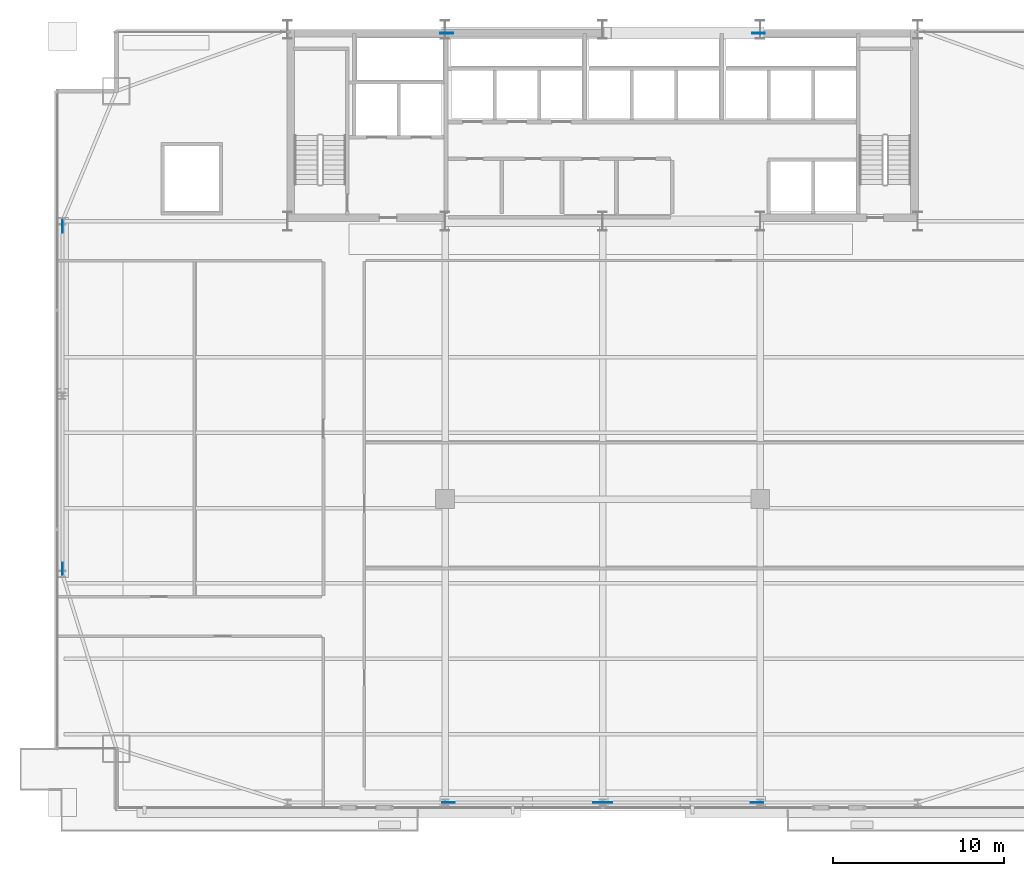
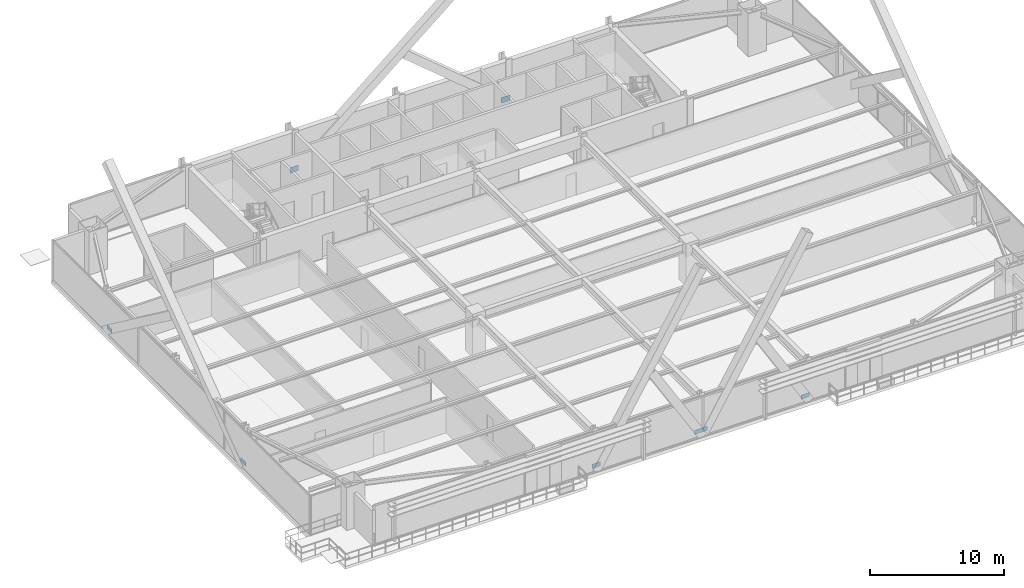
# One storey, part 27 of 34: 8 plates.
"""IFC4 building model written with IfcOpenShell, lengths in metres."""

from ifc_helpers import new_model, si_unit, direction, frame, origin, origin_2d, place, context, subcontext, project, spatial, rectangle, extrude, source, transform, mapped, material, layer, layer_set, type_object, type_shapes, element, save


model = new_model("IFC4")

# Units and contexts
model_context = context("Model", 3, precision=1e-05, world=origin(), true_north=direction((0.0, 1.0)))
body_context = subcontext(model_context, "Body", "Model", "MODEL_VIEW")
ifc_project = project(units=[si_unit("LENGTHUNIT", "METRE"), si_unit("AREAUNIT", "SQUARE_METRE"), si_unit("VOLUMEUNIT", "CUBIC_METRE"), si_unit("PLANEANGLEUNIT", "RADIAN"), si_unit("MASSUNIT", "GRAM", prefix="KILO")], contexts=[model_context])

# Site, building, storey
site_placement = place(None, origin())
site = spatial("IfcSite", under=ifc_project, at=site_placement, CompositionType="ELEMENT")
building_placement = place(site_placement, origin())
building = spatial("IfcBuilding", under=site, at=building_placement, Name="Varnel Quay Broadcast Tower", CompositionType="ELEMENT")
storey_placement = place(building_placement, frame((0.0, 0.0, 27.60009765625)))
storey = spatial("IfcBuildingStorey", under=building, at=storey_placement, Name="L05", CompositionType="ELEMENT", Elevation=27.60009765625)

# Plates
ifc_material = material(Name="Structural Steel CSA G40.21 350WT", Category="steel")
ifc_layer_1 = layer(ifc_material, 0.031982421875, Name="Structural Steel CSA G40.21 350WT")
ifc_layer_set_1 = layer_set([ifc_layer_1], Name="Structural Steel CSA G40.21 350WT")
plate_type_1 = type_object("IfcPlateType", Name="Plate_EndCap", PredefinedType="USERDEFINED", material=ifc_layer_set_1)
shared_shape_1 = source(origin(), body_context, "Body", "SweptSolid", [
    extrude(rectangle(XDim=0.719970703125, YDim=0.031982421875, at=origin_2d()), origin(), (0.0, 0.0, 1.0), 0.3798828125),
])
type_shapes(plate_type_1, [shared_shape_1])
for number, where, z_axis, x_axis, name in (
    (1, (24.99560546875, 1.64990234375, 0.15576171875), (0.0, 0.0, 1.0), (1.0, 0.0, 0.0), "Zone 1 Mega-Brace S-C1T1 Diag A End Connection Plate P0"),
    (2, (33.80419921875, 1.64990234375, 0.15576171875), (0.0, 0.0, 1.0), (1.0, 0.0, 0.0), "Zone 1 Mega-Brace S-C1T1 Diag B1 End Connection Plate P0"),
    (3, (34.19580078125, 1.64990234375, 0.15576171875), (0.0, 0.0, 1.0), (1.0, 0.0, 0.0), "Zone 1 Mega-Brace S-C2T1 Diag A End Connection Plate P0"),
    (4, (43.00439453125, 1.64990234375, 0.15576171875), (0.0, 0.0, 1.0), (1.0, 0.0, 0.0), "Zone 1 Mega-Brace S-C2T1 Diag B1 End Connection Plate P0"),
    (5, (2.449951171875, 15.304931640625, 0.056640625), (0.0, 0.0, 1.0), (0.0, 1.0, 0.0), "Zone 1 Mega-Brace W-FT1 Diag A End Connection Plate P0"),
    (6, (2.449951171875, 35.294921875, 0.056640625), (0.0, 0.0, 1.0), (0.0, 1.0, 0.0), "Zone 1 Mega-Brace W-FT1 Diag B1 End Connection Plate P0"),
):
    element("IfcPlate", number, at=place(storey_placement, frame(where, z_axis=z_axis, x_axis=x_axis)), inside=storey, type_object=plate_type_1, Name=name, ObjectType="CAP_PLATE", PredefinedType="USERDEFINED", context=body_context, shape_type="MappedRepresentation", body=[
        mapped(shared_shape_1, transform((0.0, 0.0, 0.0), x_axis=(1.0, 0.0, 0.0), y_axis=(0.0, 1.0, 0.0), z_axis=(0.0, 0.0, 1.0), scale=1.0)),
    ])
ifc_layer_2 = layer(ifc_material, 0.0400390625, Name="Structural Steel CSA G40.21 350WT")
ifc_layer_set_2 = layer_set([ifc_layer_2], Name="Structural Steel CSA G40.21 350WT")
plate_type_2 = type_object("IfcPlateType", Name="Plate_EmbedPlate", PredefinedType="USERDEFINED", material=ifc_layer_set_2)
shared_shape_2 = source(origin(), body_context, "Body", "SweptSolid", [
    extrude(rectangle(XDim=0.739990234375, YDim=0.0400390625, at=origin_2d()), origin(), (0.0, 0.0, 1.0), 0.50390625),
])
type_shapes(plate_type_2, [shared_shape_2])
for number, where, z_axis, x_axis, name in (
    (7, (24.89208984375, 46.580078125, -0.1552734375), (0.0, 0.0, 1.0), (1.0, 0.0, 0.0), "Zone 1 Mega-Brace N-CT1 Diag A Wall Cast-In Embed Plate P0"),
    (8, (43.10791015625, 46.580078125, -0.1552734375), (0.0, 0.0, 1.0), (1.0, 0.0, 0.0), "Zone 1 Mega-Brace N-CT1 Diag B1 Wall Cast-In Embed Plate P0"),
):
    element("IfcPlate", number, at=place(storey_placement, frame(where, z_axis=z_axis, x_axis=x_axis)), inside=storey, type_object=plate_type_2, Name=name, ObjectType="EMBED_PLATE", PredefinedType="USERDEFINED", context=body_context, shape_type="MappedRepresentation", body=[
        mapped(shared_shape_2, transform((0.0, 0.0, 0.0), x_axis=(1.0, 0.0, 0.0), y_axis=(0.0, 1.0, 0.0), z_axis=(0.0, 0.0, 1.0), scale=1.0)),
    ])

save(model, "model.ifc")
